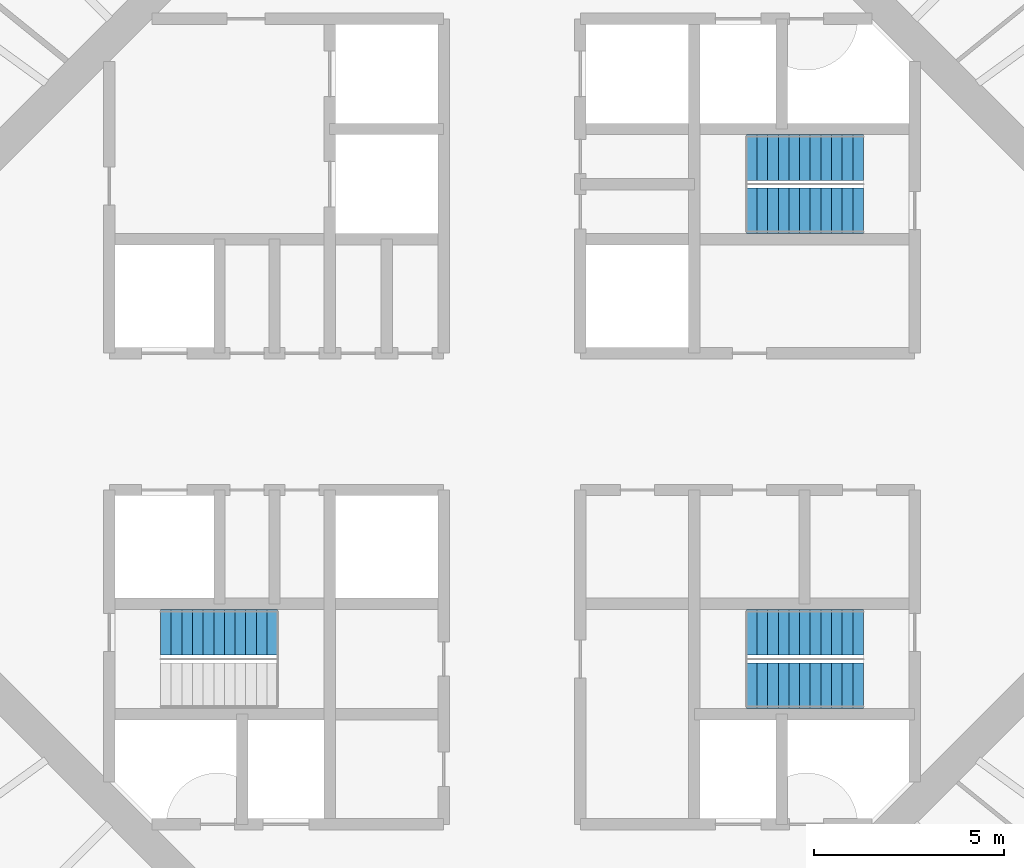
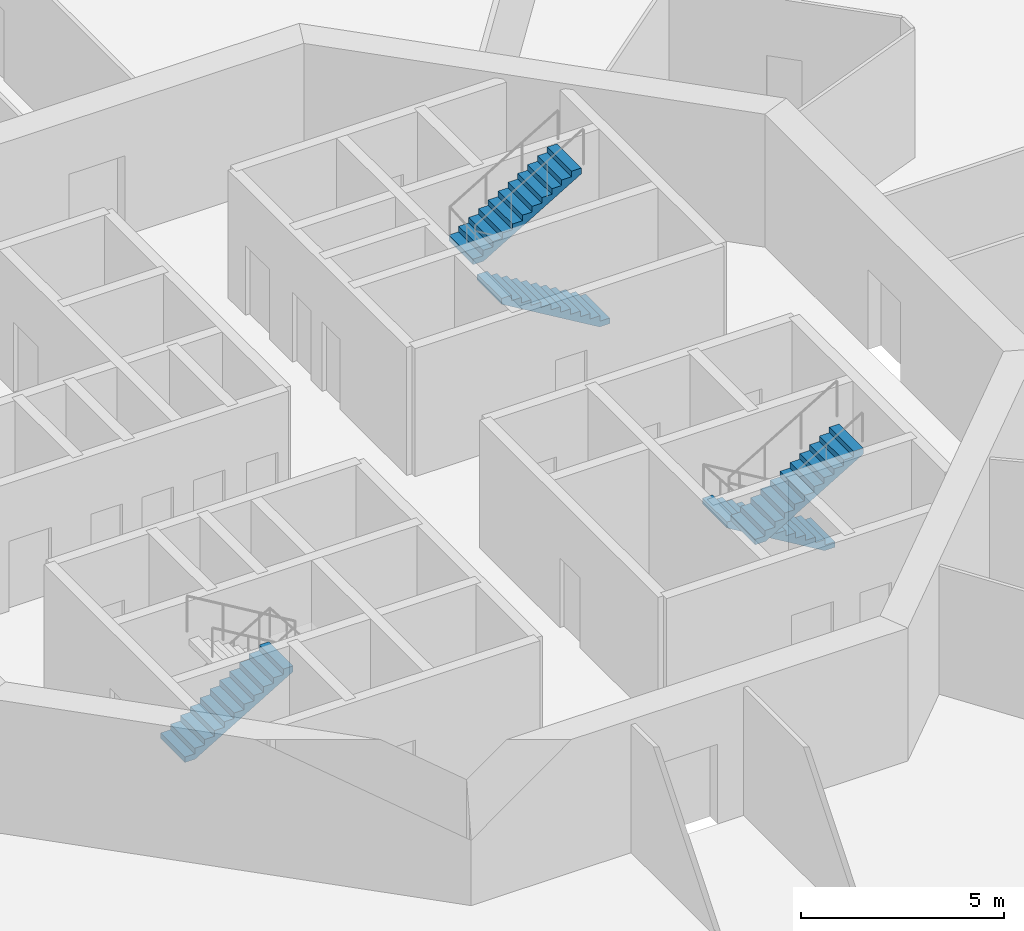
# One storey, part 6 of 13: 5 stair flights, 3 elements without a shape of their own.
"""IFC4 building model written with IfcOpenShell, lengths in metres."""

import ifcopenshell
import ifcopenshell.guid

model = None  # the IFC model being written
_history = None  # IfcOwnerHistory: only IFC2X3 demands one
_inside = {}  # id of a spatial element -> (the spatial element, [elements in it])
_under = {}  # id of a project, library or spatial element -> (it, [spatial elements below it])
_declared = {}  # id of a project -> (the project, [libraries it declares])
_typed = {}  # id of a type object -> (the type object, [elements of that type])
_made_of = {}  # id of a material, layer set ... -> (it, [elements and type objects made of it])


def new_model(schema):
    """Start an empty IFC model of exactly this schema.

    Asked for "IFC4X3", IfcOpenShell would pick the latest addendum, in which some entities
    have other attributes; the version numbers below select the first issue.
    IFC2X3 requires an IfcOwnerHistory on every rooted entity: one is made here for all.
    """
    global model, _history
    if schema == "IFC4X3":
        model = ifcopenshell.file(schema_version=(4, 3, 0, 0))
    else:
        model = ifcopenshell.file(schema=schema)
    _inside.clear()
    _under.clear()
    _declared.clear()
    _typed.clear()
    _made_of.clear()
    _history = None
    if model.schema == "IFC2X3":
        org = make("IfcOrganization", Name="unknown")
        user = make(
            "IfcPersonAndOrganization",
            ThePerson=make("IfcPerson", FamilyName="unknown"),
            TheOrganization=org,
        )
        app = make(
            "IfcApplication",
            ApplicationDeveloper=org,
            Version="unknown",
            ApplicationFullName="unknown",
            ApplicationIdentifier="unknown",
        )
        _history = make(
            "IfcOwnerHistory",
            OwningUser=user,
            OwningApplication=app,
            ChangeAction="ADDED",
            CreationDate=0,
        )
    return model


def make(cls, **values):
    """One entity of the class cls with the attributes given. An attribute that is None is left unset."""
    return model.create_entity(
        cls, **{name: value for name, value in values.items() if value is not None}
    )


def rooted(cls, **values):
    """An entity with a GlobalId (a new one), such as an element, a storey or a relation."""
    return make(cls, GlobalId=ifcopenshell.guid.new(), OwnerHistory=_history, **values)


def si_unit(unit_type, name, prefix=None):
    """IfcSIUnit, for example si_unit("LENGTHUNIT", "METRE", prefix="MILLI")."""
    return make("IfcSIUnit", UnitType=unit_type, Prefix=prefix, Name=name)


def assignment(units):
    """IfcUnitAssignment: the units of a project."""
    return None if units is None else make("IfcUnitAssignment", Units=units)


def point(xyz):
    """IfcCartesianPoint."""
    return None if xyz is None else make("IfcCartesianPoint", Coordinates=xyz)


def direction(xyz):
    """IfcDirection."""
    return None if xyz is None else make("IfcDirection", DirectionRatios=xyz)


def frame(location, z_axis=None, x_axis=None):
    """IfcAxis2Placement3D, a coordinate frame: its origin and axes. An axis left out is left unset."""
    return make(
        "IfcAxis2Placement3D",
        Location=point(location),
        Axis=direction(z_axis),
        RefDirection=direction(x_axis),
    )


def origin():
    """The frame at (0, 0, 0) with its axes left unset."""
    return frame((0.0, 0.0, 0.0))


def place(relative_to, where):
    """IfcLocalPlacement: puts the frame where relative to a parent placement (None: the world)."""
    return make(
        "IfcLocalPlacement", PlacementRelTo=relative_to, RelativePlacement=where
    )


def context(
    kind, dimensions, precision=None, world=None, true_north=None, identifier=None
):
    """IfcGeometricRepresentationContext, for example the 3D "Model" context."""
    return make(
        "IfcGeometricRepresentationContext",
        ContextIdentifier=identifier,
        ContextType=kind,
        CoordinateSpaceDimension=dimensions,
        Precision=precision,
        WorldCoordinateSystem=world,
        TrueNorth=true_north,
    )


def subcontext(parent, identifier, kind, view, scale=None):
    """IfcGeometricRepresentationSubContext, for example "Body" below "Model"."""
    return make(
        "IfcGeometricRepresentationSubContext",
        ContextIdentifier=identifier,
        ContextType=kind,
        ParentContext=parent,
        TargetScale=scale,
        TargetView=view,
    )


def project(units=None, contexts=None):
    """IfcProject with its units and contexts."""
    return rooted(
        "IfcProject",
        Name="project",
        RepresentationContexts=contexts,
        UnitsInContext=assignment(units),
    )


def spatial(cls, under=None, at=None, **own):
    """A site, building, storey or space (cls), placed at a placement, below another one or the project."""
    s = rooted(cls, ObjectPlacement=at, **own)
    if under is not None:
        _under.setdefault(under.id(), (under, []))[1].append(s)
    return s


def polyline(points):
    """IfcPolyline through the points."""
    return make("IfcPolyline", Points=[point(p) for p in points])


def outline(outer, holes=None, kind="AREA"):
    """IfcArbitraryClosedProfileDef: a profile drawn as a closed curve; with holes, ...WithVoids."""
    if holes is None:
        return make("IfcArbitraryClosedProfileDef", ProfileType=kind, OuterCurve=outer)
    return make(
        "IfcArbitraryProfileDefWithVoids",
        ProfileType=kind,
        OuterCurve=outer,
        InnerCurves=holes,
    )


def extrude(swept, where, along, depth):
    """IfcExtrudedAreaSolid: the profile swept, set in the frame where, extruded along a direction by depth."""
    return make(
        "IfcExtrudedAreaSolid",
        SweptArea=swept,
        Position=where,
        ExtrudedDirection=direction(along),
        Depth=depth,
    )


def shape(context_of_items, identifier, shape_type, items):
    """IfcShapeRepresentation: the items that make up one representation, for example the "Body"."""
    return make(
        "IfcShapeRepresentation",
        ContextOfItems=context_of_items,
        RepresentationIdentifier=identifier,
        RepresentationType=shape_type,
        Items=items,
    )


def material(Name=None, Category=None):
    """IfcMaterial."""
    return make("IfcMaterial", Name=Name, Category=Category)


def made_of(thing, what):
    """Note that an element or type object is made of a material, layer set ...; save() writes the relation."""
    if what is not None:
        _made_of.setdefault(what.id(), (what, []))[1].append(thing)
    return thing


def type_object(cls, material=None, **own):
    """A type object (cls), such as IfcWallType, which elements share."""
    return made_of(rooted(cls, **own), material)


def element(
    cls,
    number,
    at=None,
    inside=None,
    cuts=None,
    type_object=None,
    material=None,
    context=None,
    identifier="Body",
    shape_type=None,
    held_by="IfcProductDefinitionShape",
    body=None,
    shapes=None,
    **own,
):
    """One element of the class cls, such as IfcWall. Its Tag is "e" and its number.

    at: its placement. inside: the storey or other place that contains it. cuts: it is an
    opening in that element (IfcRelVoidsElement). A single representation is given by context,
    identifier, shape_type and body (its items); several are given by shapes. held_by: the class
    of the entity that holds the representations. save() writes the other relations.
    """
    e = rooted(cls, Tag="e%d" % number, ObjectPlacement=at, **own)
    if body is not None:
        shapes = [shape(context, identifier, shape_type, body)]
    if shapes is not None:
        e.Representation = make(held_by, Representations=shapes)
    if inside is not None:
        _inside.setdefault(inside.id(), (inside, []))[1].append(e)
    if cuts is not None:
        rooted(
            "IfcRelVoidsElement", RelatingBuildingElement=cuts, RelatedOpeningElement=e
        )
    if type_object is not None:
        _typed.setdefault(type_object.id(), (type_object, []))[1].append(e)
    return made_of(e, material)


def aggregate(whole, parts):
    """IfcRelAggregates: a whole, such as a stair, and the parts it consists of."""
    return rooted("IfcRelAggregates", RelatingObject=whole, RelatedObjects=parts)


def save(model, path):
    """Write the relations noted so far, then the file.

    IfcRelAggregates (storeys below a building ...), IfcRelContainedInSpatialStructure (elements
    in a storey), IfcRelDefinesByType, IfcRelAssociatesMaterial and IfcRelDeclares: one each for
    every whole, place, type object, material and project.
    """
    for whole, parts in _under.values():
        aggregate(whole, parts)
    for where, things in _inside.values():
        rooted(
            "IfcRelContainedInSpatialStructure",
            RelatedElements=things,
            RelatingStructure=where,
        )
    for kind, things in _typed.values():
        rooted("IfcRelDefinesByType", RelatedObjects=things, RelatingType=kind)
    for what, things in _made_of.values():
        rooted("IfcRelAssociatesMaterial", RelatedObjects=things, RelatingMaterial=what)
    for by, libraries in _declared.values():
        rooted("IfcRelDeclares", RelatingContext=by, RelatedDefinitions=libraries)
    model.write(path)


model = new_model("IFC4")

# Units and contexts
model_context = context("Model", 3, precision=1e-05, world=origin(), true_north=direction((0.0, 1.0)))
body_context = subcontext(model_context, "Body", "Model", "MODEL_VIEW")
ifc_project = project(units=[si_unit("LENGTHUNIT", "METRE"), si_unit("AREAUNIT", "SQUARE_METRE"), si_unit("VOLUMEUNIT", "CUBIC_METRE"), si_unit("PLANEANGLEUNIT", "RADIAN"), si_unit("MASSUNIT", "GRAM", prefix="KILO")], contexts=[model_context])

# Site, building, storey
site_placement = place(None, origin())
site = spatial("IfcSite", under=ifc_project, at=site_placement, CompositionType="ELEMENT")
building_placement = place(site_placement, origin())
building = spatial("IfcBuilding", under=site, at=building_placement, Name="Entoto Ring Tower", CompositionType="ELEMENT")
storey_placement = place(building_placement, frame((0.0, 0.0, 282.0)))
storey = spatial("IfcBuildingStorey", under=building, at=storey_placement, Name="L64", CompositionType="ELEMENT", Elevation=282.0)

# Stair, stair flights
ifc_material_1 = material(Name="Concrete C40/50", Category="concrete")
stair_type = type_object("IfcStairType", Name="Exit stair 1200 mm dog-leg reinforced concrete", PredefinedType="HALF_TURN_STAIR", material=ifc_material_1)
stair_1_placement = place(storey_placement, origin())
stair_1 = element("IfcStair", 1, at=stair_1_placement, inside=storey, type_object=stair_type, Name="Exit stair 1", PredefinedType="HALF_TURN_STAIR")
ifc_material_2 = material(Name="Concrete C40/50", Category="concrete")
stair_flight_type = type_object("IfcStairFlightType", Name="Stair flight 1200 mm reinforced concrete", PredefinedType="STRAIGHT", material=ifc_material_2)
stair_flight_1_placement = place(storey_placement, frame((99.25, 85.550048828125, 0.0), z_axis=(0.0, 0.0, 1.0), x_axis=(-1.0, 0.0, 0.0)))
stair_flight_1 = element("IfcStairFlight", 2, at=stair_flight_1_placement, type_object=stair_flight_type, Name="ST1 flight 1", NumberOfRisers=12, NumberOfTreads=11, PredefinedType="STRAIGHT", RiserHeight=0.166666667, TreadLength=0.28, context=body_context, shape_type="SweptSolid", body=[
    extrude(outline(polyline([(0.0, 0.0), (0.0, 0.166748046875), (0.280029296875, 0.166748046875), (0.280029296875, 0.333251953125), (0.56005859375, 0.333251953125), (0.56005859375, 0.5), (0.840087890625, 0.5), (0.840087890625, 0.666748046875), (1.1201171875, 0.666748046875), (1.1201171875, 0.833251953125), (1.39990234375, 0.833251953125), (1.39990234375, 1.0), (1.679931640625, 1.0), (1.679931640625, 1.166748046875), (1.9599609375, 1.166748046875), (1.9599609375, 1.333251953125), (2.239990234375, 1.333251953125), (2.239990234375, 1.5), (2.52001953125, 1.5), (2.52001953125, 1.666748046875), (2.800048828125, 1.666748046875), (2.800048828125, 1.833251953125), (3.080078125, 1.833251953125), (3.080078125, 2.0), (3.080078125, 1.658935546875), (0.29296875, 0.0), (0.0, 0.0)])), frame((0.0, 0.60009765625, 0.0), z_axis=(0.0, -1.0, 0.0), x_axis=(1.0, 0.0, 0.0)), (0.0, 0.0, 1.0), 1.199951171875),
])
stair_flight_2_placement = place(storey_placement, frame((96.169921875, 86.949951171875, 2.0), z_axis=(0.0, 0.0, 1.0), x_axis=(1.0, 0.0, 0.0)))
stair_flight_2 = element("IfcStairFlight", 3, at=stair_flight_2_placement, type_object=stair_flight_type, Name="ST1 flight 2", NumberOfRisers=12, NumberOfTreads=11, PredefinedType="STRAIGHT", RiserHeight=0.166666667, TreadLength=0.28, context=body_context, shape_type="SweptSolid", body=[
    extrude(outline(polyline([(0.0, 0.0), (0.0, 0.166748046875), (0.280029296875, 0.166748046875), (0.280029296875, 0.333251953125), (0.56005859375, 0.333251953125), (0.56005859375, 0.5), (0.840087890625, 0.5), (0.840087890625, 0.666748046875), (1.1201171875, 0.666748046875), (1.1201171875, 0.833251953125), (1.39990234375, 0.833251953125), (1.39990234375, 1.0), (1.679931640625, 1.0), (1.679931640625, 1.166748046875), (1.9599609375, 1.166748046875), (1.9599609375, 1.333251953125), (2.239990234375, 1.333251953125), (2.239990234375, 1.5), (2.52001953125, 1.5), (2.52001953125, 1.666748046875), (2.800048828125, 1.666748046875), (2.800048828125, 1.833251953125), (3.080078125, 1.833251953125), (3.080078125, 2.0), (3.080078125, 1.658935546875), (0.29296875, 0.0), (0.0, 0.0)])), frame((0.0, 0.60009765625, 0.0), z_axis=(0.0, -1.0, 0.0), x_axis=(1.0, 0.0, 0.0)), (0.0, 0.0, 1.0), 1.199951171875),
])
aggregate(stair_1, [stair_flight_1, stair_flight_2])

# Stair, stair flight
stair_2_placement = place(storey_placement, origin())
stair_2 = element("IfcStair", 4, at=stair_2_placement, inside=storey, type_object=stair_type, Name="Exit stair 2", PredefinedType="HALF_TURN_STAIR")
stair_flight_3_placement = place(storey_placement, frame((80.75, 74.449951171875, 0.0), z_axis=(0.0, 0.0, 1.0), x_axis=(1.0, 0.0, 0.0)))
stair_flight_3 = element("IfcStairFlight", 5, at=stair_flight_3_placement, type_object=stair_flight_type, Name="ST2 flight 1", NumberOfRisers=12, NumberOfTreads=11, PredefinedType="STRAIGHT", RiserHeight=0.166666667, TreadLength=0.28, context=body_context, shape_type="SweptSolid", body=[
    extrude(outline(polyline([(0.0, 0.0), (0.0, 0.166748046875), (0.280029296875, 0.166748046875), (0.280029296875, 0.333251953125), (0.56005859375, 0.333251953125), (0.56005859375, 0.5), (0.840087890625, 0.5), (0.840087890625, 0.666748046875), (1.1201171875, 0.666748046875), (1.1201171875, 0.833251953125), (1.39990234375, 0.833251953125), (1.39990234375, 1.0), (1.679931640625, 1.0), (1.679931640625, 1.166748046875), (1.9599609375, 1.166748046875), (1.9599609375, 1.333251953125), (2.239990234375, 1.333251953125), (2.239990234375, 1.5), (2.52001953125, 1.5), (2.52001953125, 1.666748046875), (2.800048828125, 1.666748046875), (2.800048828125, 1.833251953125), (3.080078125, 1.833251953125), (3.080078125, 2.0), (3.080078125, 1.658935546875), (0.29296875, 0.0), (0.0, 0.0)])), frame((0.0, 0.60009765625, 0.0), z_axis=(0.0, -1.0, 0.0), x_axis=(1.0, 0.0, 0.0)), (0.0, 0.0, 1.0), 1.199951171875),
])
aggregate(stair_2, [stair_flight_3])

# Stair, stair flights
stair_3_placement = place(storey_placement, origin())
stair_3 = element("IfcStair", 6, at=stair_3_placement, inside=storey, type_object=stair_type, Name="Exit stair 3", PredefinedType="HALF_TURN_STAIR")
stair_flight_4_placement = place(storey_placement, frame((99.25, 74.449951171875, 0.0), z_axis=(0.0, 0.0, 1.0), x_axis=(-1.0, 0.0, 0.0)))
stair_flight_4 = element("IfcStairFlight", 7, at=stair_flight_4_placement, type_object=stair_flight_type, Name="ST3 flight 1", NumberOfRisers=12, NumberOfTreads=11, PredefinedType="STRAIGHT", RiserHeight=0.166666667, TreadLength=0.28, context=body_context, shape_type="SweptSolid", body=[
    extrude(outline(polyline([(0.0, 0.0), (0.0, 0.166748046875), (0.280029296875, 0.166748046875), (0.280029296875, 0.333251953125), (0.56005859375, 0.333251953125), (0.56005859375, 0.5), (0.840087890625, 0.5), (0.840087890625, 0.666748046875), (1.1201171875, 0.666748046875), (1.1201171875, 0.833251953125), (1.39990234375, 0.833251953125), (1.39990234375, 1.0), (1.679931640625, 1.0), (1.679931640625, 1.166748046875), (1.9599609375, 1.166748046875), (1.9599609375, 1.333251953125), (2.239990234375, 1.333251953125), (2.239990234375, 1.5), (2.52001953125, 1.5), (2.52001953125, 1.666748046875), (2.800048828125, 1.666748046875), (2.800048828125, 1.833251953125), (3.080078125, 1.833251953125), (3.080078125, 2.0), (3.080078125, 1.658935546875), (0.29296875, 0.0), (0.0, 0.0)])), frame((0.0, 0.60009765625, 0.0), z_axis=(0.0, -1.0, 0.0), x_axis=(1.0, 0.0, 0.0)), (0.0, 0.0, 1.0), 1.199951171875),
])
stair_flight_5_placement = place(storey_placement, frame((96.169921875, 73.050048828125, 2.0), z_axis=(0.0, 0.0, 1.0), x_axis=(1.0, 0.0, 0.0)))
stair_flight_5 = element("IfcStairFlight", 8, at=stair_flight_5_placement, type_object=stair_flight_type, Name="ST3 flight 2", NumberOfRisers=12, NumberOfTreads=11, PredefinedType="STRAIGHT", RiserHeight=0.166666667, TreadLength=0.28, context=body_context, shape_type="SweptSolid", body=[
    extrude(outline(polyline([(0.0, 0.0), (0.0, 0.166748046875), (0.280029296875, 0.166748046875), (0.280029296875, 0.333251953125), (0.56005859375, 0.333251953125), (0.56005859375, 0.5), (0.840087890625, 0.5), (0.840087890625, 0.666748046875), (1.1201171875, 0.666748046875), (1.1201171875, 0.833251953125), (1.39990234375, 0.833251953125), (1.39990234375, 1.0), (1.679931640625, 1.0), (1.679931640625, 1.166748046875), (1.9599609375, 1.166748046875), (1.9599609375, 1.333251953125), (2.239990234375, 1.333251953125), (2.239990234375, 1.5), (2.52001953125, 1.5), (2.52001953125, 1.666748046875), (2.800048828125, 1.666748046875), (2.800048828125, 1.833251953125), (3.080078125, 1.833251953125), (3.080078125, 2.0), (3.080078125, 1.658935546875), (0.29296875, 0.0), (0.0, 0.0)])), frame((0.0, 0.60009765625, 0.0), z_axis=(0.0, -1.0, 0.0), x_axis=(1.0, 0.0, 0.0)), (0.0, 0.0, 1.0), 1.199951171875),
])
aggregate(stair_3, [stair_flight_4, stair_flight_5])

save(model, "model.ifc")
